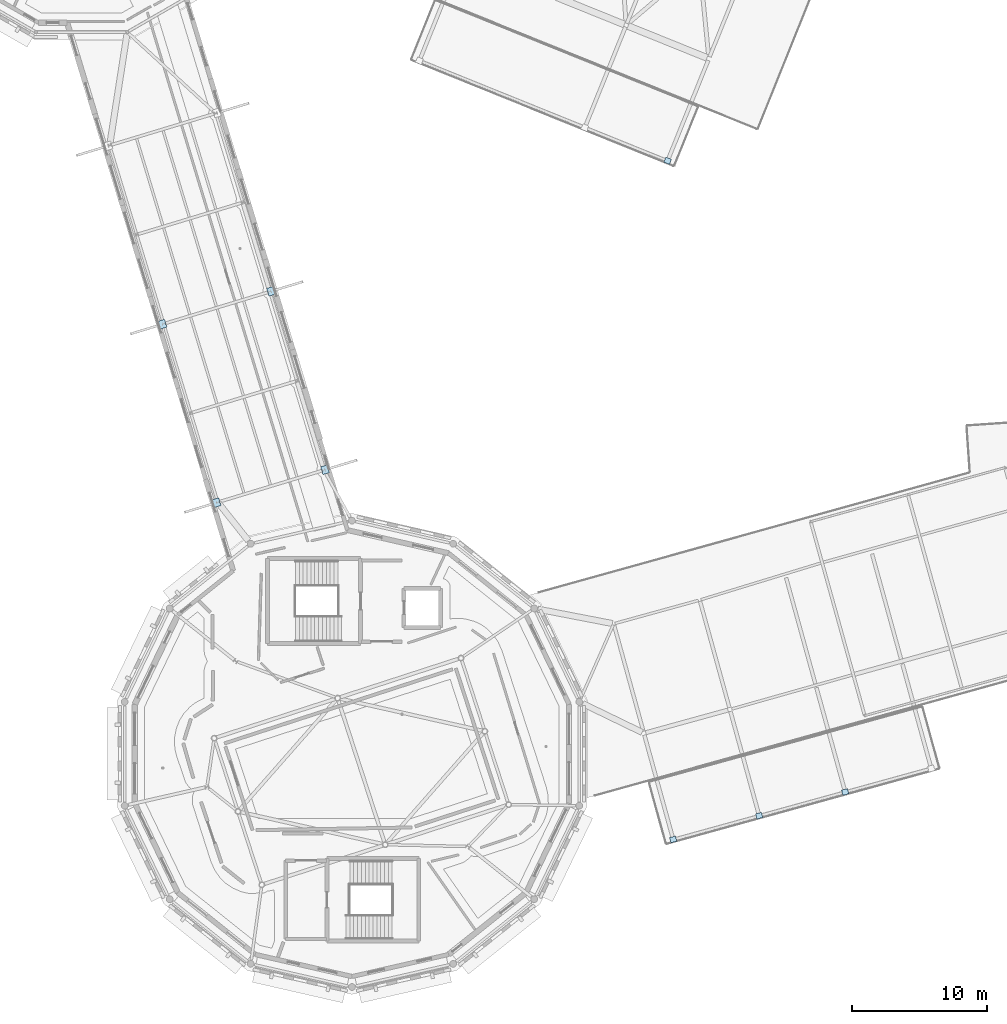
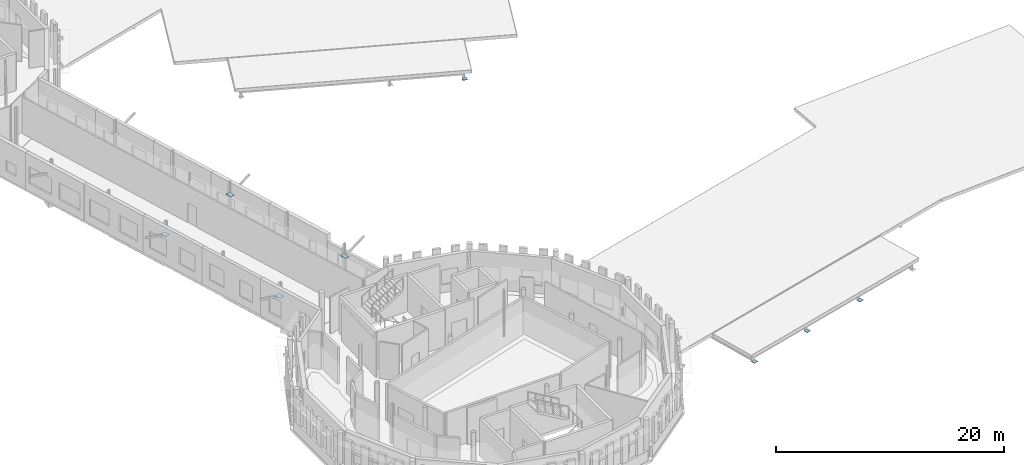
# One storey, part 37 of 90: 8 plates.
"""IFC4 building model written with IfcOpenShell, lengths in metres."""

from ifc_helpers import new_model, si_unit, direction, frame, origin, origin_2d, place, context, subcontext, project, spatial, rectangle, extrude, material, layer, layer_set, type_object, element, save


model = new_model("IFC4")

# Units and contexts
model_context = context("Model", 3, precision=1e-05, world=origin(), true_north=direction((0.0, 1.0)))
body_context = subcontext(model_context, "Body", "Model", "MODEL_VIEW")
ifc_project = project(units=[si_unit("LENGTHUNIT", "METRE"), si_unit("AREAUNIT", "SQUARE_METRE"), si_unit("VOLUMEUNIT", "CUBIC_METRE"), si_unit("PLANEANGLEUNIT", "RADIAN"), si_unit("MASSUNIT", "GRAM", prefix="KILO")], contexts=[model_context])

# Site, building, storey
site_placement = place(None, origin())
site = spatial("IfcSite", under=ifc_project, at=site_placement, CompositionType="ELEMENT")
building_placement = place(site_placement, origin())
building = spatial("IfcBuilding", under=site, at=building_placement, Name="Wrenclough Park School", CompositionType="ELEMENT")
storey_placement = place(building_placement, frame((0.0, 0.0, 8.39990234375)))
storey = spatial("IfcBuildingStorey", under=building, at=storey_placement, Name="L02", CompositionType="ELEMENT", Elevation=8.39990234375)

# Plates
ifc_material = material(Name="Structural steel S355", Category="steel")
ifc_layer_1 = layer(ifc_material, 0.028076171875)
ifc_layer_set_1 = layer_set([ifc_layer_1], Name="Structural steel S355")
plate_type_1 = type_object("IfcPlateType", Name="STR-PL-KN3", PredefinedType="USERDEFINED", material=ifc_layer_set_1)
for number, where, z_axis, x_axis, name in (
    (1, (26.488525390625, 42.08447265625, 2.73583984375), (0.0, 0.0, 1.0), (-0.290007395287, 0.957024404432, 0.0), "W23 eave knee-brace gusset plate 1"),
    (2, (34.511474609375, 44.515625, 2.73583984375), (0.0, 0.0, 1.0), (-0.290007395287, 0.957024404432, 0.0), "W23 eave knee-brace gusset plate 2"),
    (3, (22.488525390625, 55.284423828125, 2.73583984375), (0.0, 0.0, 1.0), (-0.290007395287, 0.957024404432, 0.0), "W23 eave knee-brace gusset plate 3"),
    (4, (30.511474609375, 57.715576171875, 2.73583984375), (0.0, 0.0, 1.0), (-0.290007395287, 0.957024404432, 0.0), "W23 eave knee-brace gusset plate 4"),
):
    element("IfcPlate", number, at=place(storey_placement, frame(where, z_axis=z_axis, x_axis=x_axis)), inside=storey, type_object=plate_type_1, Name=name, ObjectType="GUSSET PLATE", PredefinedType="USERDEFINED", context=body_context, shape_type="SweptSolid", body=[
        extrude(rectangle(XDim=0.60009765625, YDim=0.5, at=origin_2d()), origin(), (0.0, 0.0, 1.0), 0.028076171875),
    ])
ifc_layer_2 = layer(ifc_material, 0.02392578125)
ifc_layer_set_2 = layer_set([ifc_layer_2], Name="Structural steel S355")
plate_type_2 = type_object("IfcPlateType", Name="STR-PL-KN5", PredefinedType="USERDEFINED", material=ifc_layer_set_2)
for number, where, z_axis, x_axis, name in (
    (5, (60.2666015625, 17.166015625, -0.9990234375), (0.0, 0.0, 1.0), (0.964002648928, 0.265892634084, 0.0), "EAVE-ENTRANCE raking V-strut tip cleat plate 1"),
    (6, (66.629150390625, 18.920654296875, -0.9990234375), (0.0, 0.0, 1.0), (0.964002648928, 0.265892634084, 0.0), "EAVE-ENTRANCE raking V-strut tip cleat plate 2"),
    (7, (72.991455078125, 20.675537109375, -0.9990234375), (0.0, 0.0, 1.0), (0.964002648928, 0.265892634084, 0.0), "EAVE-ENTRANCE raking V-strut tip cleat plate 3"),
    (8, (59.85400390625, 67.373779296875, -0.9990234375), (0.0, 0.0, 1.0), (0.927183854567, -0.374606593416, 0.0), "EAVE-COURTYARD raking V-strut tip cleat plate 3"),
):
    element("IfcPlate", number, at=place(storey_placement, frame(where, z_axis=z_axis, x_axis=x_axis)), inside=storey, type_object=plate_type_2, Name=name, ObjectType="GUSSET PLATE", PredefinedType="USERDEFINED", context=body_context, shape_type="SweptSolid", body=[
        extrude(rectangle(XDim=0.449951171875, YDim=0.39990234375, at=origin_2d()), origin(), (0.0, 0.0, 1.0), 0.02392578125),
    ])

save(model, "model.ifc")
